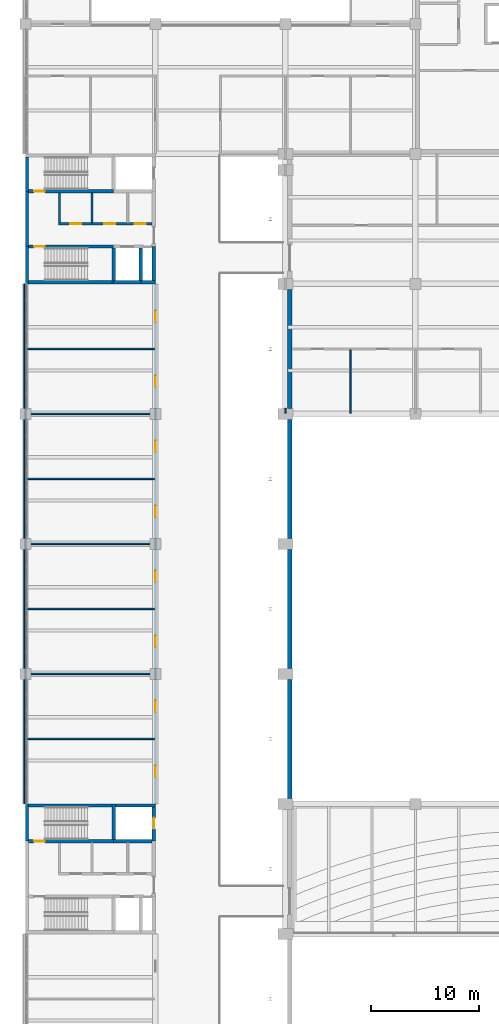
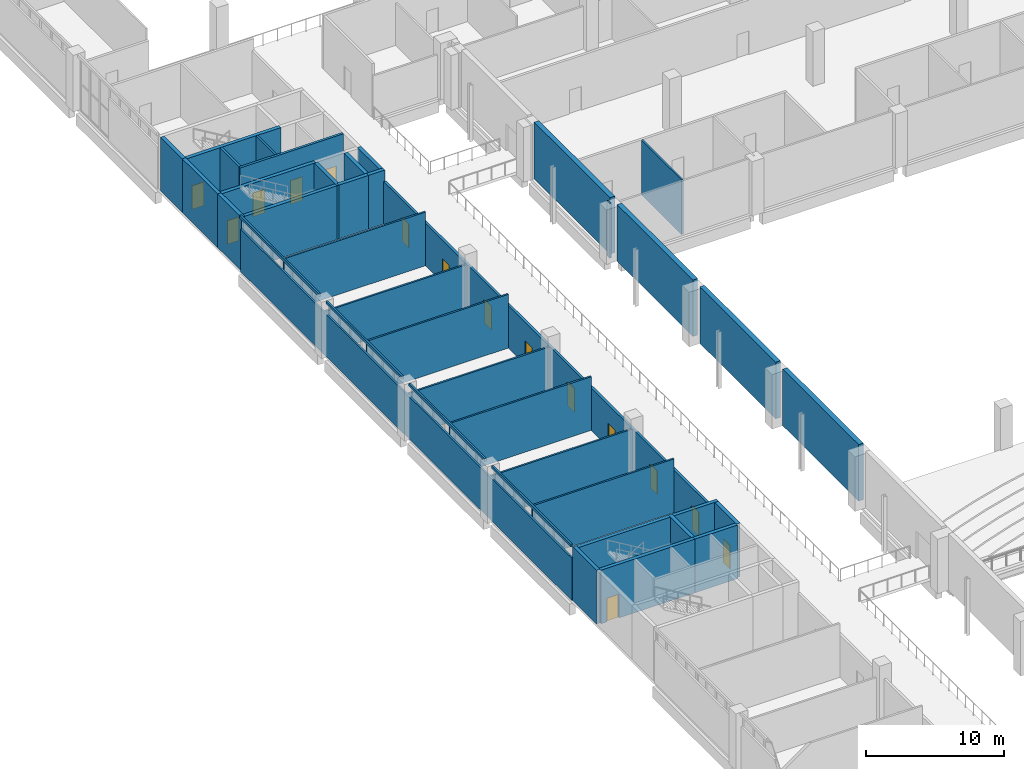
# One storey, part 58 of 69: 40 walls, 15 doors, 15 openings.
"""IFC4 building model written with IfcOpenShell, lengths in metres."""

from ifc_helpers import new_model, si_unit, direction, frame, frame_2d, origin, place, context, subcontext, project, spatial, rectangle, extrude, material, layer, layer_set, type_object, element, fill, save


model = new_model("IFC4")

# Units and contexts
model_context = context("Model", 3, precision=1e-05, world=origin(), true_north=direction((0.0, 1.0)))
body_context = subcontext(model_context, "Body", "Model", "MODEL_VIEW")
ifc_project = project(units=[si_unit("LENGTHUNIT", "METRE"), si_unit("AREAUNIT", "SQUARE_METRE"), si_unit("VOLUMEUNIT", "CUBIC_METRE"), si_unit("PLANEANGLEUNIT", "RADIAN"), si_unit("MASSUNIT", "GRAM", prefix="KILO")], contexts=[model_context])

# Site, building, storey
site_placement = place(None, origin())
site = spatial("IfcSite", under=ifc_project, at=site_placement, CompositionType="ELEMENT")
building_placement = place(site_placement, origin())
building = spatial("IfcBuilding", under=site, at=building_placement, Name="Lilac Gate Convention Centre", CompositionType="ELEMENT")
storey_placement = place(building_placement, frame((0.0, 0.0, 12.0)))
storey = spatial("IfcBuildingStorey", under=building, at=storey_placement, Name="L02", CompositionType="ELEMENT", Elevation=12.0)

# Walls
ifc_material_1 = material(Name="Concrete C30", Category="concrete")
ifc_layer_1 = layer(ifc_material_1, 0.39990234375)
ifc_layer_set_1 = layer_set([ifc_layer_1], Name="Concrete C30")
wall_type_1 = type_object("IfcWallType", Name="Hall fire wall 400", PredefinedType="SOLIDWALL", material=ifc_layer_set_1)
for number, where, z_axis, x_axis, name in (
    (1, (30.39990234375, 162.5, 0.0), (0.0, 0.0, 1.0), (0.0, 1.0, 0.0), "Fire wall galleria FW L02 12"),
    (2, (30.39990234375, 174.5, 0.0), (0.0, 0.0, 1.0), (0.0, 1.0, 0.0), "Fire wall galleria FW L02 13"),
    (3, (30.39990234375, 186.5, 0.0), (0.0, 0.0, 1.0), (0.0, 1.0, 0.0), "Fire wall galleria FW L02 14"),
    (4, (30.39990234375, 198.5, 0.0), (0.0, 0.0, 1.0), (0.0, 1.0, 0.0), "Fire wall galleria FW L02 15"),
):
    element("IfcWall", number, at=place(storey_placement, frame(where, z_axis=z_axis, x_axis=x_axis)), inside=storey, type_object=wall_type_1, Name=name, PredefinedType="SOLIDWALL", context=body_context, shape_type="SweptSolid", body=[
        extrude(rectangle(XDim=11.0, YDim=0.39990234375, at=frame_2d((5.5, 0.0))), origin(), (0.0, 0.0, 1.0), 5.0),
    ])
ifc_material_2 = material(Name="Fire-rated gypsum board on steel stud", Category="steel")
ifc_layer_2 = layer(ifc_material_2, 0.14990234375)
ifc_layer_set_2 = layer_set([ifc_layer_2], Name="Fire-rated gypsum board on steel stud")
wall_type_2 = type_object("IfcWallType", Name="Partition 150 fire-rated gypsum board EI 60", PredefinedType="PARTITIONING", material=ifc_layer_set_2)
wall_1_placement = place(storey_placement, frame((6.074951171875, 168.0, 0.0), z_axis=(0.0, 0.0, 1.0), x_axis=(1.0, 0.0, 0.0)))
element("IfcWall", 5, at=wall_1_placement, inside=storey, type_object=wall_type_2, Name="Partition 150 fire-rated gypsum board EI 60", PredefinedType="PARTITIONING", context=body_context, shape_type="SweptSolid", body=[
    extrude(rectangle(XDim=11.824951171875, YDim=0.14990234375, at=frame_2d((5.91259765625, 0.0))), origin(), (0.0, 0.0, 1.0), 4.75),
])
wall_2_placement = place(storey_placement, frame((6.074951171875, 174.0, 0.0), z_axis=(0.0, 0.0, 1.0), x_axis=(1.0, 0.0, 0.0)))
element("IfcWall", 6, at=wall_2_placement, inside=storey, type_object=wall_type_2, Name="Partition 150 fire-rated gypsum board EI 60", PredefinedType="PARTITIONING", context=body_context, shape_type="SweptSolid", body=[
    extrude(rectangle(XDim=11.824951171875, YDim=0.14990234375, at=frame_2d((5.91259765625, 0.0))), origin(), (0.0, 0.0, 1.0), 3.75),
])
wall_3_placement = place(storey_placement, frame((6.074951171875, 180.0, 0.0), z_axis=(0.0, 0.0, 1.0), x_axis=(1.0, 0.0, 0.0)))
element("IfcWall", 7, at=wall_3_placement, inside=storey, type_object=wall_type_2, Name="Partition 150 fire-rated gypsum board EI 60", PredefinedType="PARTITIONING", context=body_context, shape_type="SweptSolid", body=[
    extrude(rectangle(XDim=11.824951171875, YDim=0.14990234375, at=frame_2d((5.91259765625, 0.0))), origin(), (0.0, 0.0, 1.0), 4.75),
])
wall_4_placement = place(storey_placement, frame((6.074951171875, 186.0, 0.0), z_axis=(0.0, 0.0, 1.0), x_axis=(1.0, 0.0, 0.0)))
element("IfcWall", 8, at=wall_4_placement, inside=storey, type_object=wall_type_2, Name="Partition 150 fire-rated gypsum board EI 60", PredefinedType="PARTITIONING", context=body_context, shape_type="SweptSolid", body=[
    extrude(rectangle(XDim=11.824951171875, YDim=0.14990234375, at=frame_2d((5.91259765625, 0.0))), origin(), (0.0, 0.0, 1.0), 3.75),
])
wall_5_placement = place(storey_placement, frame((6.074951171875, 192.0, 0.0), z_axis=(0.0, 0.0, 1.0), x_axis=(1.0, 0.0, 0.0)))
element("IfcWall", 9, at=wall_5_placement, inside=storey, type_object=wall_type_2, Name="Partition 150 fire-rated gypsum board EI 60", PredefinedType="PARTITIONING", context=body_context, shape_type="SweptSolid", body=[
    extrude(rectangle(XDim=11.824951171875, YDim=0.14990234375, at=frame_2d((5.91259765625, 0.0))), origin(), (0.0, 0.0, 1.0), 4.75),
])
wall_6_placement = place(storey_placement, frame((6.074951171875, 198.0, 0.0), z_axis=(0.0, 0.0, 1.0), x_axis=(1.0, 0.0, 0.0)))
element("IfcWall", 10, at=wall_6_placement, inside=storey, type_object=wall_type_2, Name="Partition 150 fire-rated gypsum board EI 60", PredefinedType="PARTITIONING", context=body_context, shape_type="SweptSolid", body=[
    extrude(rectangle(XDim=11.824951171875, YDim=0.14990234375, at=frame_2d((5.91259765625, 0.0))), origin(), (0.0, 0.0, 1.0), 3.75),
])
wall_7_placement = place(storey_placement, frame((6.074951171875, 204.0, 0.0), z_axis=(0.0, 0.0, 1.0), x_axis=(1.0, 0.0, 0.0)))
element("IfcWall", 11, at=wall_7_placement, inside=storey, type_object=wall_type_2, Name="Partition 150 fire-rated gypsum board EI 60", PredefinedType="PARTITIONING", context=body_context, shape_type="SweptSolid", body=[
    extrude(rectangle(XDim=11.824951171875, YDim=0.14990234375, at=frame_2d((5.91259765625, 0.0))), origin(), (0.0, 0.0, 1.0), 4.75),
])
wall_8_placement = place(storey_placement, frame((6.0, 162.0, 0.0), z_axis=(0.0, 0.0, 1.0), x_axis=(0.0, 1.0, 0.0)))
element("IfcWall", 12, at=wall_8_placement, inside=storey, type_object=wall_type_2, Name="Partition 150 fire-rated gypsum board EI 60", PredefinedType="PARTITIONING", context=body_context, shape_type="SweptSolid", body=[
    extrude(rectangle(XDim=48.0, YDim=0.14990234375, at=frame_2d((24.0, 0.0))), origin(), (0.0, 0.0, 1.0), 3.75),
])
wall_9_placement = place(storey_placement, frame((12.14990234375, 215.64990234375, 0.0), z_axis=(0.0, 0.0, 1.0), x_axis=(0.0, 1.0, 0.0)))
element("IfcWall", 13, at=wall_9_placement, inside=storey, type_object=wall_type_2, Name="Partition 150 fire-rated gypsum board EI 60", PredefinedType="PARTITIONING", context=body_context, shape_type="SweptSolid", body=[
    extrude(rectangle(XDim=2.75, YDim=0.14990234375, at=frame_2d((1.375, 0.0))), origin(), (0.0, 0.0, 1.0), 4.75),
])
wall_10_placement = place(storey_placement, frame((30.0, 198.074951171875, 0.0), z_axis=(0.0, 0.0, 1.0), x_axis=(0.0, 1.0, 0.0)))
element("IfcWall", 14, at=wall_10_placement, inside=storey, type_object=wall_type_2, Name="Partition 150 fire-rated gypsum board EI 60", PredefinedType="PARTITIONING", context=body_context, shape_type="SweptSolid", body=[
    extrude(rectangle(XDim=0.425048828125, YDim=0.14990234375, at=frame_2d((0.21240234375, 0.0))), origin(), (0.0, 0.0, 1.0), 4.824951171875),
])
wall_11_placement = place(storey_placement, frame((36.0, 198.074951171875, 0.0), z_axis=(0.0, 0.0, 1.0), x_axis=(0.0, 1.0, 0.0)))
element("IfcWall", 15, at=wall_11_placement, inside=storey, type_object=wall_type_2, Name="Partition 150 fire-rated gypsum board EI 60", PredefinedType="PARTITIONING", context=body_context, shape_type="SweptSolid", body=[
    extrude(rectangle(XDim=5.824951171875, YDim=0.14990234375, at=frame_2d((2.91259765625, 0.0))), origin(), (0.0, 0.0, 1.0), 4.824951171875),
])

# Wall, openings, doors
ifc_material_3 = material(Name="Clay brick masonry", Category="masonry")
ifc_layer_3 = layer(ifc_material_3, 0.199951171875)
ifc_layer_set_3 = layer_set([ifc_layer_3], Name="Clay brick masonry")
wall_type_3 = type_object("IfcWallType", Name="Partition 200 brick EI 60", PredefinedType="PARTITIONING", material=ifc_layer_set_3)
wall_12_placement = place(storey_placement, frame((9.050048828125, 215.550048828125, 0.0), z_axis=(0.0, 0.0, 1.0), x_axis=(1.0, 0.0, 0.0)))
wall_12 = element("IfcWall", 16, at=wall_12_placement, inside=storey, type_object=wall_type_3, Name="Partition 200 brick EI 60", PredefinedType="PARTITIONING", context=body_context, shape_type="SweptSolid", body=[
    extrude(rectangle(XDim=8.64990234375, YDim=0.199951171875, at=frame_2d((4.324951171875, 0.0))), origin(), (0.0, 0.0, 1.0), 4.75),
])
opening_1_placement = place(wall_12_placement, frame((1.10009765625, 0.0, 0.0)))
opening_1 = element("IfcOpeningElement", 17, at=opening_1_placement, cuts=wall_12, Name="Opening L02-096", PredefinedType="OPENING", context=body_context, shape_type="SweptSolid", body=[
    extrude(rectangle(XDim=1.0, YDim=2.10009765625, at=frame_2d((0.5, 1.050048828125))), frame((0.0, 0.10986328125, 0.0), z_axis=(0.0, -1.0, 0.0), x_axis=(1.0, 0.0, 0.0)), (0.0, 0.0, 1.0), 0.219970703125),
])
opening_2_placement = place(wall_12_placement, frame((4.25, 0.0, 0.0)))
opening_2 = element("IfcOpeningElement", 18, at=opening_2_placement, cuts=wall_12, Name="Opening L02-097", PredefinedType="OPENING", context=body_context, shape_type="SweptSolid", body=[
    extrude(rectangle(XDim=1.0, YDim=2.10009765625, at=frame_2d((0.5, 1.050048828125))), frame((0.0, 0.10986328125, 0.0), z_axis=(0.0, -1.0, 0.0), x_axis=(1.0, 0.0, 0.0)), (0.0, 0.0, 1.0), 0.219970703125),
])
opening_3_placement = place(wall_12_placement, frame((7.050048828125, 0.0, 0.0)))
opening_3 = element("IfcOpeningElement", 19, at=opening_3_placement, cuts=wall_12, Name="Opening L02-098", PredefinedType="OPENING", context=body_context, shape_type="SweptSolid", body=[
    extrude(rectangle(XDim=1.0, YDim=2.10009765625, at=frame_2d((0.5, 1.050048828125))), frame((0.0, 0.10986328125, 0.0), z_axis=(0.0, -1.0, 0.0), x_axis=(1.0, 0.0, 0.0)), (0.0, 0.0, 1.0), 0.219970703125),
])
ifc_material_4 = material(Name="Timber fire door leaf", Category="wood")
door_type_1 = type_object("IfcDoorType", Name="Door 1000 x 2100 single leaf FD30", OperationType="SINGLE_SWING_LEFT", PredefinedType="DOOR", material=ifc_material_4)
door_1_placement = place(opening_1_placement, origin())
door_1 = element("IfcDoor", 20, at=door_1_placement, inside=storey, type_object=door_type_1, Name="WC door L02-096", OperationType="SINGLE_SWING_RIGHT", OverallHeight=2.10009765625, OverallWidth=1.0, PredefinedType="DOOR", context=body_context, shape_type="SweptSolid", body=[
    extrude(rectangle(XDim=1.0, YDim=2.10009765625, at=frame_2d((0.5, 1.050048828125))), frame((0.0, 0.02490234375, 0.0), z_axis=(0.0, -1.0, 0.0), x_axis=(1.0, 0.0, 0.0)), (0.0, 0.0, 1.0), 0.050048828125),
])
fill(opening_1, door_1)
door_2_placement = place(opening_2_placement, origin())
door_2 = element("IfcDoor", 21, at=door_2_placement, inside=storey, type_object=door_type_1, Name="WC door L02-097", OperationType="SINGLE_SWING_LEFT", OverallHeight=2.10009765625, OverallWidth=1.0, PredefinedType="DOOR", context=body_context, shape_type="SweptSolid", body=[
    extrude(rectangle(XDim=1.0, YDim=2.10009765625, at=frame_2d((0.5, 1.050048828125))), frame((0.0, 0.02490234375, 0.0), z_axis=(0.0, -1.0, 0.0), x_axis=(1.0, 0.0, 0.0)), (0.0, 0.0, 1.0), 0.050048828125),
])
fill(opening_2, door_2)
door_3_placement = place(opening_3_placement, origin())
door_3 = element("IfcDoor", 22, at=door_3_placement, inside=storey, type_object=door_type_1, Name="Accessible WC door L02-098", OperationType="SINGLE_SWING_LEFT", OverallHeight=2.10009765625, OverallWidth=1.0, PredefinedType="DOOR", context=body_context, shape_type="SweptSolid", body=[
    extrude(rectangle(XDim=1.0, YDim=2.10009765625, at=frame_2d((0.5, 1.050048828125))), frame((0.0, 0.02490234375, 0.0), z_axis=(0.0, -1.0, 0.0), x_axis=(1.0, 0.0, 0.0)), (0.0, 0.0, 1.0), 0.050048828125),
])
fill(opening_3, door_3)

# Wall
wall_13_placement = place(storey_placement, frame((9.14990234375, 215.64990234375, 0.0), z_axis=(0.0, 0.0, 1.0), x_axis=(0.0, 1.0, 0.0)))
element("IfcWall", 23, at=wall_13_placement, inside=storey, type_object=wall_type_3, Name="Partition 200 brick EI 60", PredefinedType="PARTITIONING", context=body_context, shape_type="SweptSolid", body=[
    extrude(rectangle(XDim=2.75, YDim=0.199951171875, at=frame_2d((1.375, 0.0))), origin(), (0.0, 0.0, 1.0), 4.75),
])

# Wall, openings, doors
wall_14_placement = place(storey_placement, frame((18.0, 162.0, 0.0), z_axis=(0.0, 0.0, 1.0), x_axis=(0.0, 1.0, 0.0)))
wall_14 = element("IfcWall", 24, at=wall_14_placement, inside=storey, type_object=wall_type_3, Name="Partition 200 brick EI 60", PredefinedType="PARTITIONING", context=body_context, shape_type="SweptSolid", body=[
    extrude(rectangle(XDim=48.0, YDim=0.199951171875, at=frame_2d((24.0, 0.0))), origin(), (0.0, 0.0, 1.0), 3.75),
])
opening_4_placement = place(wall_14_placement, frame((2.5, 0.0, 0.0)))
opening_4 = element("IfcOpeningElement", 25, at=opening_4_placement, cuts=wall_14, Name="Opening L02-070", PredefinedType="OPENING", context=body_context, shape_type="SweptSolid", body=[
    extrude(rectangle(XDim=1.0, YDim=2.10009765625, at=frame_2d((0.5, 1.050048828125))), frame((0.0, 0.10986328125, 0.0), z_axis=(0.0, -1.0, 0.0), x_axis=(1.0, 0.0, 0.0)), (0.0, 0.0, 1.0), 0.219970703125),
])
opening_5_placement = place(wall_14_placement, frame((8.5, 0.0, 0.0)))
opening_5 = element("IfcOpeningElement", 26, at=opening_5_placement, cuts=wall_14, Name="Opening L02-071", PredefinedType="OPENING", context=body_context, shape_type="SweptSolid", body=[
    extrude(rectangle(XDim=1.0, YDim=2.10009765625, at=frame_2d((0.5, 1.050048828125))), frame((0.0, 0.10986328125, 0.0), z_axis=(0.0, -1.0, 0.0), x_axis=(1.0, 0.0, 0.0)), (0.0, 0.0, 1.0), 0.219970703125),
])
opening_6_placement = place(wall_14_placement, frame((14.5, 0.0, 0.0)))
opening_6 = element("IfcOpeningElement", 27, at=opening_6_placement, cuts=wall_14, Name="Opening L02-072", PredefinedType="OPENING", context=body_context, shape_type="SweptSolid", body=[
    extrude(rectangle(XDim=1.0, YDim=2.10009765625, at=frame_2d((0.5, 1.050048828125))), frame((0.0, 0.10986328125, 0.0), z_axis=(0.0, -1.0, 0.0), x_axis=(1.0, 0.0, 0.0)), (0.0, 0.0, 1.0), 0.219970703125),
])
opening_7_placement = place(wall_14_placement, frame((20.5, 0.0, 0.0)))
opening_7 = element("IfcOpeningElement", 28, at=opening_7_placement, cuts=wall_14, Name="Opening L02-073", PredefinedType="OPENING", context=body_context, shape_type="SweptSolid", body=[
    extrude(rectangle(XDim=1.0, YDim=2.10009765625, at=frame_2d((0.5, 1.050048828125))), frame((0.0, 0.10986328125, 0.0), z_axis=(0.0, -1.0, 0.0), x_axis=(1.0, 0.0, 0.0)), (0.0, 0.0, 1.0), 0.219970703125),
])
opening_8_placement = place(wall_14_placement, frame((26.5, 0.0, 0.0)))
opening_8 = element("IfcOpeningElement", 29, at=opening_8_placement, cuts=wall_14, Name="Opening L02-074", PredefinedType="OPENING", context=body_context, shape_type="SweptSolid", body=[
    extrude(rectangle(XDim=1.0, YDim=2.10009765625, at=frame_2d((0.5, 1.050048828125))), frame((0.0, 0.10986328125, 0.0), z_axis=(0.0, -1.0, 0.0), x_axis=(1.0, 0.0, 0.0)), (0.0, 0.0, 1.0), 0.219970703125),
])
opening_9_placement = place(wall_14_placement, frame((32.5, 0.0, 0.0)))
opening_9 = element("IfcOpeningElement", 30, at=opening_9_placement, cuts=wall_14, Name="Opening L02-075", PredefinedType="OPENING", context=body_context, shape_type="SweptSolid", body=[
    extrude(rectangle(XDim=1.0, YDim=2.10009765625, at=frame_2d((0.5, 1.050048828125))), frame((0.0, 0.10986328125, 0.0), z_axis=(0.0, -1.0, 0.0), x_axis=(1.0, 0.0, 0.0)), (0.0, 0.0, 1.0), 0.219970703125),
])
opening_10_placement = place(wall_14_placement, frame((38.5, 0.0, 0.0)))
opening_10 = element("IfcOpeningElement", 31, at=opening_10_placement, cuts=wall_14, Name="Opening L02-076", PredefinedType="OPENING", context=body_context, shape_type="SweptSolid", body=[
    extrude(rectangle(XDim=1.0, YDim=2.10009765625, at=frame_2d((0.5, 1.050048828125))), frame((0.0, 0.10986328125, 0.0), z_axis=(0.0, -1.0, 0.0), x_axis=(1.0, 0.0, 0.0)), (0.0, 0.0, 1.0), 0.219970703125),
])
opening_11_placement = place(wall_14_placement, frame((44.5, 0.0, 0.0)))
opening_11 = element("IfcOpeningElement", 32, at=opening_11_placement, cuts=wall_14, Name="Opening L02-084", PredefinedType="OPENING", context=body_context, shape_type="SweptSolid", body=[
    extrude(rectangle(XDim=1.0, YDim=2.10009765625, at=frame_2d((0.5, 1.050048828125))), frame((0.0, 0.10986328125, 0.0), z_axis=(0.0, -1.0, 0.0), x_axis=(1.0, 0.0, 0.0)), (0.0, 0.0, 1.0), 0.219970703125),
])
door_4_placement = place(opening_4_placement, origin())
door_4 = element("IfcDoor", 33, at=door_4_placement, inside=storey, type_object=door_type_1, Name="Meeting room door L02-070", OperationType="SINGLE_SWING_RIGHT", OverallHeight=2.10009765625, OverallWidth=1.0, PredefinedType="DOOR", context=body_context, shape_type="SweptSolid", body=[
    extrude(rectangle(XDim=1.0, YDim=2.10009765625, at=frame_2d((0.5, 1.050048828125))), frame((0.0, 0.02490234375, 0.0), z_axis=(0.0, -1.0, 0.0), x_axis=(1.0, 0.0, 0.0)), (0.0, 0.0, 1.0), 0.050048828125),
])
fill(opening_4, door_4)
door_5_placement = place(opening_5_placement, origin())
door_5 = element("IfcDoor", 34, at=door_5_placement, inside=storey, type_object=door_type_1, Name="Meeting room door L02-071", OperationType="SINGLE_SWING_RIGHT", OverallHeight=2.10009765625, OverallWidth=1.0, PredefinedType="DOOR", context=body_context, shape_type="SweptSolid", body=[
    extrude(rectangle(XDim=1.0, YDim=2.10009765625, at=frame_2d((0.5, 1.050048828125))), frame((0.0, 0.02490234375, 0.0), z_axis=(0.0, -1.0, 0.0), x_axis=(1.0, 0.0, 0.0)), (0.0, 0.0, 1.0), 0.050048828125),
])
fill(opening_5, door_5)
door_6_placement = place(opening_6_placement, origin())
door_6 = element("IfcDoor", 35, at=door_6_placement, inside=storey, type_object=door_type_1, Name="Meeting room door L02-072", OperationType="SINGLE_SWING_RIGHT", OverallHeight=2.10009765625, OverallWidth=1.0, PredefinedType="DOOR", context=body_context, shape_type="SweptSolid", body=[
    extrude(rectangle(XDim=1.0, YDim=2.10009765625, at=frame_2d((0.5, 1.050048828125))), frame((0.0, 0.02490234375, 0.0), z_axis=(0.0, -1.0, 0.0), x_axis=(1.0, 0.0, 0.0)), (0.0, 0.0, 1.0), 0.050048828125),
])
fill(opening_6, door_6)
door_7_placement = place(opening_7_placement, origin())
door_7 = element("IfcDoor", 36, at=door_7_placement, inside=storey, type_object=door_type_1, Name="Meeting room door L02-073", OperationType="SINGLE_SWING_RIGHT", OverallHeight=2.10009765625, OverallWidth=1.0, PredefinedType="DOOR", context=body_context, shape_type="SweptSolid", body=[
    extrude(rectangle(XDim=1.0, YDim=2.10009765625, at=frame_2d((0.5, 1.050048828125))), frame((0.0, 0.02490234375, 0.0), z_axis=(0.0, -1.0, 0.0), x_axis=(1.0, 0.0, 0.0)), (0.0, 0.0, 1.0), 0.050048828125),
])
fill(opening_7, door_7)
door_8_placement = place(opening_8_placement, origin())
door_8 = element("IfcDoor", 37, at=door_8_placement, inside=storey, type_object=door_type_1, Name="Meeting room door L02-074", OperationType="SINGLE_SWING_RIGHT", OverallHeight=2.10009765625, OverallWidth=1.0, PredefinedType="DOOR", context=body_context, shape_type="SweptSolid", body=[
    extrude(rectangle(XDim=1.0, YDim=2.10009765625, at=frame_2d((0.5, 1.050048828125))), frame((0.0, 0.02490234375, 0.0), z_axis=(0.0, -1.0, 0.0), x_axis=(1.0, 0.0, 0.0)), (0.0, 0.0, 1.0), 0.050048828125),
])
fill(opening_8, door_8)
door_9_placement = place(opening_9_placement, origin())
door_9 = element("IfcDoor", 38, at=door_9_placement, inside=storey, type_object=door_type_1, Name="Meeting room door L02-075", OperationType="SINGLE_SWING_RIGHT", OverallHeight=2.10009765625, OverallWidth=1.0, PredefinedType="DOOR", context=body_context, shape_type="SweptSolid", body=[
    extrude(rectangle(XDim=1.0, YDim=2.10009765625, at=frame_2d((0.5, 1.050048828125))), frame((0.0, 0.02490234375, 0.0), z_axis=(0.0, -1.0, 0.0), x_axis=(1.0, 0.0, 0.0)), (0.0, 0.0, 1.0), 0.050048828125),
])
fill(opening_9, door_9)
door_10_placement = place(opening_10_placement, origin())
door_10 = element("IfcDoor", 39, at=door_10_placement, inside=storey, type_object=door_type_1, Name="Meeting room door L02-076", OperationType="SINGLE_SWING_RIGHT", OverallHeight=2.10009765625, OverallWidth=1.0, PredefinedType="DOOR", context=body_context, shape_type="SweptSolid", body=[
    extrude(rectangle(XDim=1.0, YDim=2.10009765625, at=frame_2d((0.5, 1.050048828125))), frame((0.0, 0.02490234375, 0.0), z_axis=(0.0, -1.0, 0.0), x_axis=(1.0, 0.0, 0.0)), (0.0, 0.0, 1.0), 0.050048828125),
])
fill(opening_10, door_10)
door_11_placement = place(opening_11_placement, origin())
door_11 = element("IfcDoor", 40, at=door_11_placement, inside=storey, type_object=door_type_1, Name="Meeting room door L02-084", OperationType="SINGLE_SWING_RIGHT", OverallHeight=2.10009765625, OverallWidth=1.0, PredefinedType="DOOR", context=body_context, shape_type="SweptSolid", body=[
    extrude(rectangle(XDim=1.0, YDim=2.10009765625, at=frame_2d((0.5, 1.050048828125))), frame((0.0, 0.02490234375, 0.0), z_axis=(0.0, -1.0, 0.0), x_axis=(1.0, 0.0, 0.0)), (0.0, 0.0, 1.0), 0.050048828125),
])
fill(opening_11, door_11)

# Walls
ifc_material_5 = material(Name="Concrete C40 precast", Category="concrete")
ifc_layer_4 = layer(ifc_material_5, 0.1298828125)
ifc_material_6 = material(Name="Terracotta glazed cladding", Category="masonry")
ifc_layer_5 = layer(ifc_material_6, 0.02001953125)
ifc_layer_set_4 = layer_set([ifc_layer_4, ifc_layer_5], Name="Concrete C40 precast, Terracotta glazed cladding")
wall_type_4 = type_object("IfcWallType", Name="Precast band terracotta 150", PredefinedType="STANDARD", material=ifc_layer_set_4)
wall_15_placement = place(storey_placement, frame((5.925048828125, 210.0, 4.75), z_axis=(0.0, 0.0, 1.0), x_axis=(0.0, -1.0, 0.0)))
element("IfcWall", 41, at=wall_15_placement, inside=storey, type_object=wall_type_4, Name="Precast band PW L02 1", PredefinedType="STANDARD", context=body_context, shape_type="SweptSolid", body=[
    extrude(rectangle(XDim=11.5, YDim=0.14990234375, at=frame_2d((5.75, 0.0))), origin(), (0.0, 0.0, 1.0), 0.25),
])
for number, where, z_axis, x_axis, name in (
    (42, (5.925048828125, 197.5, 4.75), (0.0, 0.0, 1.0), (0.0, -1.0, 0.0), "Precast band PW L02 2"),
    (43, (5.925048828125, 185.5, 4.75), (0.0, 0.0, 1.0), (0.0, -1.0, 0.0), "Precast band PW L02 3"),
):
    element("IfcWall", number, at=place(storey_placement, frame(where, z_axis=z_axis, x_axis=x_axis)), inside=storey, type_object=wall_type_4, Name=name, PredefinedType="STANDARD", context=body_context, shape_type="SweptSolid", body=[
        extrude(rectangle(XDim=11.0, YDim=0.14990234375, at=frame_2d((5.5, 0.0))), origin(), (0.0, 0.0, 1.0), 0.25),
    ])
wall_16_placement = place(storey_placement, frame((5.925048828125, 173.5, 4.75), z_axis=(0.0, 0.0, 1.0), x_axis=(0.0, -1.0, 0.0)))
element("IfcWall", 44, at=wall_16_placement, inside=storey, type_object=wall_type_4, Name="Precast band PW L02 4", PredefinedType="STANDARD", context=body_context, shape_type="SweptSolid", body=[
    extrude(rectangle(XDim=11.5, YDim=0.14990234375, at=frame_2d((5.75, 0.0))), origin(), (0.0, 0.0, 1.0), 0.25),
])
ifc_material_7 = material(Name="Concrete C40", Category="concrete")
ifc_layer_6 = layer(ifc_material_7, 0.300048828125)
ifc_layer_set_5 = layer_set([ifc_layer_6], Name="Concrete C40")
wall_type_5 = type_object("IfcWallType", Name="Shear wall 300 C40", PredefinedType="SHEAR", material=ifc_layer_set_5)
wall_17_placement = place(storey_placement, frame((6.0, 161.85009765625, 0.0), z_axis=(0.0, 0.0, 1.0), x_axis=(1.0, 0.0, 0.0)))
element("IfcWall", 45, at=wall_17_placement, inside=storey, type_object=wall_type_5, Name="SW1 shear wall W3 L02 4", PredefinedType="SHEAR", context=body_context, shape_type="SweptSolid", body=[
    extrude(rectangle(XDim=8.14990234375, YDim=0.300048828125, at=frame_2d((4.074951171875, 0.0))), origin(), (0.0, 0.0, 1.0), 4.75),
])
wall_18_placement = place(storey_placement, frame((14.14990234375, 161.85009765625, 0.0), z_axis=(0.0, 0.0, 1.0), x_axis=(1.0, 0.0, 0.0)))
element("IfcWall", 46, at=wall_18_placement, inside=storey, type_object=wall_type_5, Name="SW1 shear wall W3 L02 5", PredefinedType="SHEAR", context=body_context, shape_type="SweptSolid", body=[
    extrude(rectangle(XDim=3.85009765625, YDim=0.300048828125, at=frame_2d((1.925048828125, 0.0))), origin(), (0.0, 0.0, 1.0), 4.75),
])

# Wall, opening, door
wall_19_placement = place(storey_placement, frame((6.300048828125, 158.550048828125, 0.0), z_axis=(0.0, 0.0, 1.0), x_axis=(1.0, 0.0, 0.0)))
wall_19 = element("IfcWall", 47, at=wall_19_placement, inside=storey, type_object=wall_type_5, Name="SW1 shear wall W3 L02 9", PredefinedType="SHEAR", context=body_context, shape_type="SweptSolid", body=[
    extrude(rectangle(XDim=7.849853515625, YDim=0.300048828125, at=frame_2d((3.9248046875, 0.0))), origin(), (0.0, 0.0, 1.0), 4.75),
])
opening_12_placement = place(wall_19_placement, frame((0.5, 0.0, 0.0)))
opening_12 = element("IfcOpeningElement", 48, at=opening_12_placement, cuts=wall_19, Name="Opening L02-066", PredefinedType="OPENING", context=body_context, shape_type="SweptSolid", body=[
    extrude(rectangle(XDim=1.0, YDim=2.10009765625, at=frame_2d((0.5, 1.050048828125))), frame((0.0, 0.159912109375, 0.0), z_axis=(0.0, -1.0, 0.0), x_axis=(1.0, 0.0, 0.0)), (0.0, 0.0, 1.0), 0.320068359375),
])
door_type_2 = type_object("IfcDoorType", Name="Door 1000 x 2100 single leaf FD60", OperationType="SINGLE_SWING_LEFT", PredefinedType="DOOR", material=ifc_material_4)
door_12_placement = place(opening_12_placement, origin())
door_12 = element("IfcDoor", 49, at=door_12_placement, inside=storey, type_object=door_type_2, Name="Stair door L02-066", OperationType="SINGLE_SWING_RIGHT", OverallHeight=2.10009765625, OverallWidth=1.0, PredefinedType="DOOR", context=body_context, shape_type="SweptSolid", body=[
    extrude(rectangle(XDim=1.0, YDim=2.10009765625, at=frame_2d((0.5, 1.050048828125))), frame((0.0, 0.02490234375, 0.0), z_axis=(0.0, -1.0, 0.0), x_axis=(1.0, 0.0, 0.0)), (0.0, 0.0, 1.0), 0.050048828125),
])
fill(opening_12, door_12)

# Walls
wall_20_placement = place(storey_placement, frame((14.14990234375, 158.550048828125, 0.0), z_axis=(0.0, 0.0, 1.0), x_axis=(1.0, 0.0, 0.0)))
element("IfcWall", 50, at=wall_20_placement, inside=storey, type_object=wall_type_5, Name="SW1 shear wall W3 L02 10", PredefinedType="SHEAR", context=body_context, shape_type="SweptSolid", body=[
    extrude(rectangle(XDim=3.550048828125, YDim=0.300048828125, at=frame_2d((1.77490234375, 0.0))), origin(), (0.0, 0.0, 1.0), 4.75),
])
wall_21_placement = place(storey_placement, frame((6.14990234375, 158.550048828125, 0.0), z_axis=(0.0, 0.0, 1.0), x_axis=(0.0, 1.0, 0.0)))
element("IfcWall", 51, at=wall_21_placement, inside=storey, type_object=wall_type_5, Name="SW1 shear wall W3 L02 13", PredefinedType="SHEAR", context=body_context, shape_type="SweptSolid", body=[
    extrude(rectangle(XDim=3.449951171875, YDim=0.300048828125, at=frame_2d((1.72509765625, 0.0))), origin(), (0.0, 0.0, 1.0), 4.75),
])

# Wall, opening, door
wall_22_placement = place(storey_placement, frame((17.85009765625, 158.550048828125, 0.0), z_axis=(0.0, 0.0, 1.0), x_axis=(0.0, 1.0, 0.0)))
wall_22 = element("IfcWall", 52, at=wall_22_placement, inside=storey, type_object=wall_type_5, Name="SW1 shear wall W3 L02 16", PredefinedType="SHEAR", context=body_context, shape_type="SweptSolid", body=[
    extrude(rectangle(XDim=3.14990234375, YDim=0.300048828125, at=frame_2d((1.574951171875, 0.0))), origin(), (0.0, 0.0, 1.0), 4.75),
])
opening_13_placement = place(wall_22_placement, frame((1.14990234375, 0.0, 0.0)))
opening_13 = element("IfcOpeningElement", 53, at=opening_13_placement, cuts=wall_22, Name="Opening L02-068", PredefinedType="OPENING", context=body_context, shape_type="SweptSolid", body=[
    extrude(rectangle(XDim=1.0, YDim=2.10009765625, at=frame_2d((0.5, 1.050048828125))), frame((0.0, 0.159912109375, 0.0), z_axis=(0.0, -1.0, 0.0), x_axis=(1.0, 0.0, 0.0)), (0.0, 0.0, 1.0), 0.320068359375),
])
door_13_placement = place(opening_13_placement, origin())
door_13 = element("IfcDoor", 54, at=door_13_placement, inside=storey, type_object=door_type_1, Name="Riser access door L02-068", OperationType="SINGLE_SWING_RIGHT", OverallHeight=2.10009765625, OverallWidth=1.0, PredefinedType="DOOR", context=body_context, shape_type="SweptSolid", body=[
    extrude(rectangle(XDim=1.0, YDim=2.10009765625, at=frame_2d((0.5, 1.050048828125))), frame((0.0, 0.02490234375, 0.0), z_axis=(0.0, -1.0, 0.0), x_axis=(1.0, 0.0, 0.0)), (0.0, 0.0, 1.0), 0.050048828125),
])
fill(opening_13, door_13)

# Walls
wall_23_placement = place(storey_placement, frame((14.14990234375, 158.699951171875, 0.0), z_axis=(0.0, 0.0, 1.0), x_axis=(0.0, 1.0, 0.0)))
element("IfcWall", 55, at=wall_23_placement, inside=storey, type_object=wall_type_5, Name="SW1 shear wall W3 L02 18", PredefinedType="SHEAR", context=body_context, shape_type="SweptSolid", body=[
    extrude(rectangle(XDim=3.300048828125, YDim=0.300048828125, at=frame_2d((1.64990234375, 0.0))), origin(), (0.0, 0.0, 1.0), 4.75),
])
wall_24_placement = place(storey_placement, frame((6.0, 210.14990234375, 0.0), z_axis=(0.0, 0.0, 1.0), x_axis=(1.0, 0.0, 0.0)))
element("IfcWall", 56, at=wall_24_placement, inside=storey, type_object=wall_type_5, Name="SW1 shear wall W4 L02 1", PredefinedType="SHEAR", context=body_context, shape_type="SweptSolid", body=[
    extrude(rectangle(XDim=8.14990234375, YDim=0.300048828125, at=frame_2d((4.074951171875, 0.0))), origin(), (0.0, 0.0, 1.0), 4.75),
])
wall_25_placement = place(storey_placement, frame((14.14990234375, 210.14990234375, 0.0), z_axis=(0.0, 0.0, 1.0), x_axis=(1.0, 0.0, 0.0)))
element("IfcWall", 57, at=wall_25_placement, inside=storey, type_object=wall_type_5, Name="SW1 shear wall W4 L02 2", PredefinedType="SHEAR", context=body_context, shape_type="SweptSolid", body=[
    extrude(rectangle(XDim=2.5, YDim=0.300048828125, at=frame_2d((1.25, 0.0))), origin(), (0.0, 0.0, 1.0), 4.75),
])
wall_26_placement = place(storey_placement, frame((16.64990234375, 210.14990234375, 0.0), z_axis=(0.0, 0.0, 1.0), x_axis=(1.0, 0.0, 0.0)))
element("IfcWall", 58, at=wall_26_placement, inside=storey, type_object=wall_type_5, Name="SW1 shear wall W4 L02 3", PredefinedType="SHEAR", context=body_context, shape_type="SweptSolid", body=[
    extrude(rectangle(XDim=1.35009765625, YDim=0.300048828125, at=frame_2d((0.675048828125, 0.0))), origin(), (0.0, 0.0, 1.0), 4.75),
])

# Wall, opening, door
wall_27_placement = place(storey_placement, frame((6.300048828125, 213.449951171875, 0.0), z_axis=(0.0, 0.0, 1.0), x_axis=(1.0, 0.0, 0.0)))
wall_27 = element("IfcWall", 59, at=wall_27_placement, inside=storey, type_object=wall_type_5, Name="SW1 shear wall W4 L02 6", PredefinedType="SHEAR", context=body_context, shape_type="SweptSolid", body=[
    extrude(rectangle(XDim=7.849853515625, YDim=0.300048828125, at=frame_2d((3.9248046875, 0.0))), origin(), (0.0, 0.0, 1.0), 4.75),
])
opening_14_placement = place(wall_27_placement, frame((0.5, 0.0, 0.0)))
opening_14 = element("IfcOpeningElement", 60, at=opening_14_placement, cuts=wall_27, Name="Opening L02-087", PredefinedType="OPENING", context=body_context, shape_type="SweptSolid", body=[
    extrude(rectangle(XDim=1.0, YDim=2.10009765625, at=frame_2d((0.5, 1.050048828125))), frame((0.0, 0.159912109375, 0.0), z_axis=(0.0, -1.0, 0.0), x_axis=(1.0, 0.0, 0.0)), (0.0, 0.0, 1.0), 0.320068359375),
])
door_14_placement = place(opening_14_placement, frame((1.0, 0.0, 0.0), z_axis=(0.0, 0.0, 1.0), x_axis=(-1.0, 0.0, 0.0)))
door_14 = element("IfcDoor", 61, at=door_14_placement, inside=storey, type_object=door_type_2, Name="Stair door L02-087", OperationType="SINGLE_SWING_LEFT", OverallHeight=2.10009765625, OverallWidth=1.0, PredefinedType="DOOR", context=body_context, shape_type="SweptSolid", body=[
    extrude(rectangle(XDim=1.0, YDim=2.10009765625, at=frame_2d((0.5, 1.050048828125))), frame((0.0, 0.02490234375, 0.0), z_axis=(0.0, -1.0, 0.0), x_axis=(1.0, 0.0, 0.0)), (0.0, 0.0, 1.0), 0.050048828125),
])
fill(opening_14, door_14)

wall_28_placement = place(storey_placement, frame((6.300048828125, 218.550048828125, 0.0), z_axis=(0.0, 0.0, 1.0), x_axis=(1.0, 0.0, 0.0)))
wall_28 = element("IfcWall", 62, at=wall_28_placement, inside=storey, type_object=wall_type_5, Name="SW1 shear wall W4 L02 9", PredefinedType="SHEAR", context=body_context, shape_type="SweptSolid", body=[
    extrude(rectangle(XDim=7.849853515625, YDim=0.300048828125, at=frame_2d((3.9248046875, 0.0))), origin(), (0.0, 0.0, 1.0), 4.75),
])
opening_15_placement = place(wall_28_placement, frame((0.5, 0.0, 0.0)))
opening_15 = element("IfcOpeningElement", 63, at=opening_15_placement, cuts=wall_28, Name="Opening L02-102", PredefinedType="OPENING", context=body_context, shape_type="SweptSolid", body=[
    extrude(rectangle(XDim=1.0, YDim=2.10009765625, at=frame_2d((0.5, 1.050048828125))), frame((0.0, 0.159912109375, 0.0), z_axis=(0.0, -1.0, 0.0), x_axis=(1.0, 0.0, 0.0)), (0.0, 0.0, 1.0), 0.320068359375),
])
door_15_placement = place(opening_15_placement, origin())
door_15 = element("IfcDoor", 64, at=door_15_placement, inside=storey, type_object=door_type_2, Name="Stair door L02-102", OperationType="SINGLE_SWING_RIGHT", OverallHeight=2.10009765625, OverallWidth=1.0, PredefinedType="DOOR", context=body_context, shape_type="SweptSolid", body=[
    extrude(rectangle(XDim=1.0, YDim=2.10009765625, at=frame_2d((0.5, 1.050048828125))), frame((0.0, 0.02490234375, 0.0), z_axis=(0.0, -1.0, 0.0), x_axis=(1.0, 0.0, 0.0)), (0.0, 0.0, 1.0), 0.050048828125),
])
fill(opening_15, door_15)

# Walls
wall_29_placement = place(storey_placement, frame((6.14990234375, 210.0, 0.0), z_axis=(0.0, 0.0, 1.0), x_axis=(0.0, 1.0, 0.0)))
element("IfcWall", 65, at=wall_29_placement, inside=storey, type_object=wall_type_5, Name="SW1 shear wall W4 L02 11", PredefinedType="SHEAR", context=body_context, shape_type="SweptSolid", body=[
    extrude(rectangle(XDim=3.449951171875, YDim=0.300048828125, at=frame_2d((1.72509765625, 0.0))), origin(), (0.0, 0.0, 1.0), 4.75),
])
wall_30_placement = place(storey_placement, frame((6.14990234375, 213.449951171875, 0.0), z_axis=(0.0, 0.0, 1.0), x_axis=(0.0, 1.0, 0.0)))
element("IfcWall", 66, at=wall_30_placement, inside=storey, type_object=wall_type_5, Name="SW1 shear wall W4 L02 12", PredefinedType="SHEAR", context=body_context, shape_type="SweptSolid", body=[
    extrude(rectangle(XDim=5.10009765625, YDim=0.300048828125, at=frame_2d((2.550048828125, 0.0))), origin(), (0.0, 0.0, 1.0), 4.75),
])
for number, where, z_axis, x_axis, name in (
    (67, (6.14990234375, 218.550048828125, 0.0), (0.0, 0.0, 1.0), (0.0, 1.0, 0.0), "SW1 shear wall W4 L02 13"),
    (68, (17.85009765625, 210.300048828125, 0.0), (0.0, 0.0, 1.0), (0.0, 1.0, 0.0), "SW1 shear wall W4 L02 14"),
):
    element("IfcWall", number, at=place(storey_placement, frame(where, z_axis=z_axis, x_axis=x_axis)), inside=storey, type_object=wall_type_5, Name=name, PredefinedType="SHEAR", context=body_context, shape_type="SweptSolid", body=[
        extrude(rectangle(XDim=3.14990234375, YDim=0.300048828125, at=frame_2d((1.574951171875, 0.0))), origin(), (0.0, 0.0, 1.0), 4.75),
    ])
wall_31_placement = place(storey_placement, frame((14.14990234375, 210.0, 0.0), z_axis=(0.0, 0.0, 1.0), x_axis=(0.0, 1.0, 0.0)))
element("IfcWall", 69, at=wall_31_placement, inside=storey, type_object=wall_type_5, Name="SW1 shear wall W4 L02 17", PredefinedType="SHEAR", context=body_context, shape_type="SweptSolid", body=[
    extrude(rectangle(XDim=3.300048828125, YDim=0.300048828125, at=frame_2d((1.64990234375, 0.0))), origin(), (0.0, 0.0, 1.0), 4.75),
])
wall_32_placement = place(storey_placement, frame((16.64990234375, 210.300048828125, 0.0), z_axis=(0.0, 0.0, 1.0), x_axis=(0.0, 1.0, 0.0)))
element("IfcWall", 70, at=wall_32_placement, inside=storey, type_object=wall_type_5, Name="SW1 shear wall W4 L02 19", PredefinedType="SHEAR", context=body_context, shape_type="SweptSolid", body=[
    extrude(rectangle(XDim=3.0, YDim=0.300048828125, at=frame_2d((1.5, 0.0))), origin(), (0.0, 0.0, 1.0), 4.75),
])

save(model, "model.ifc")
